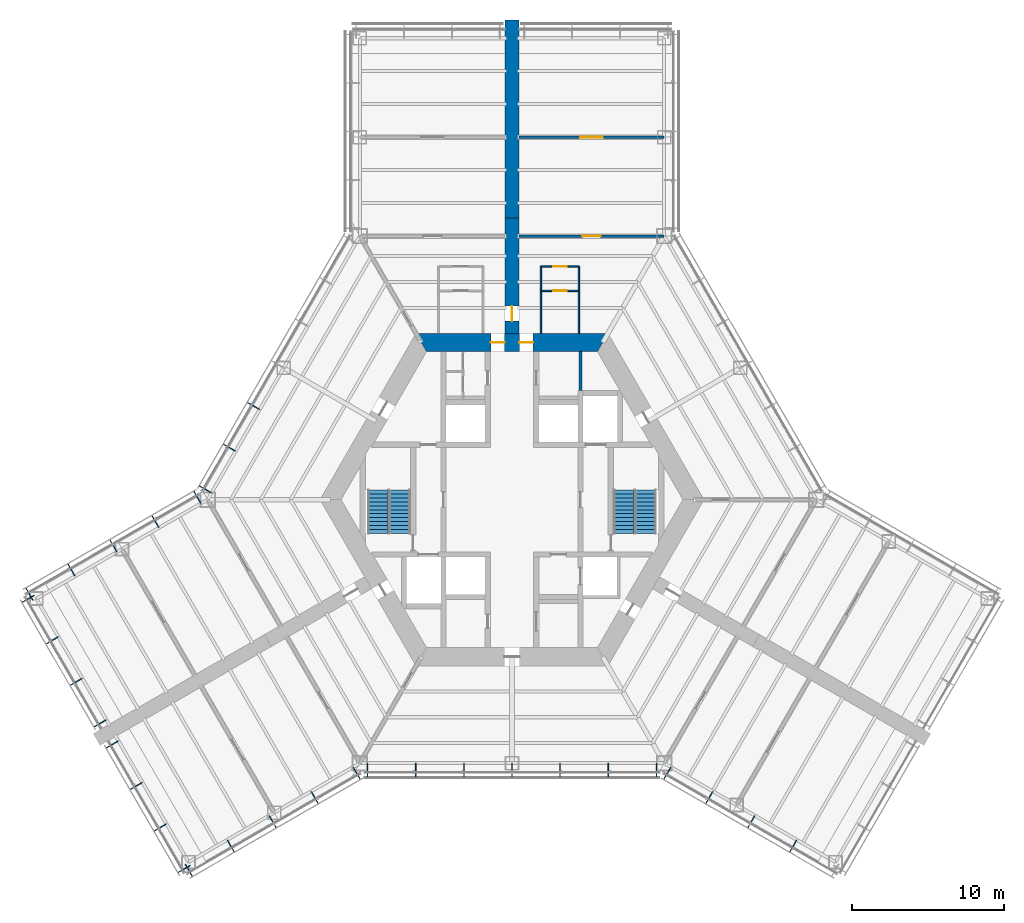
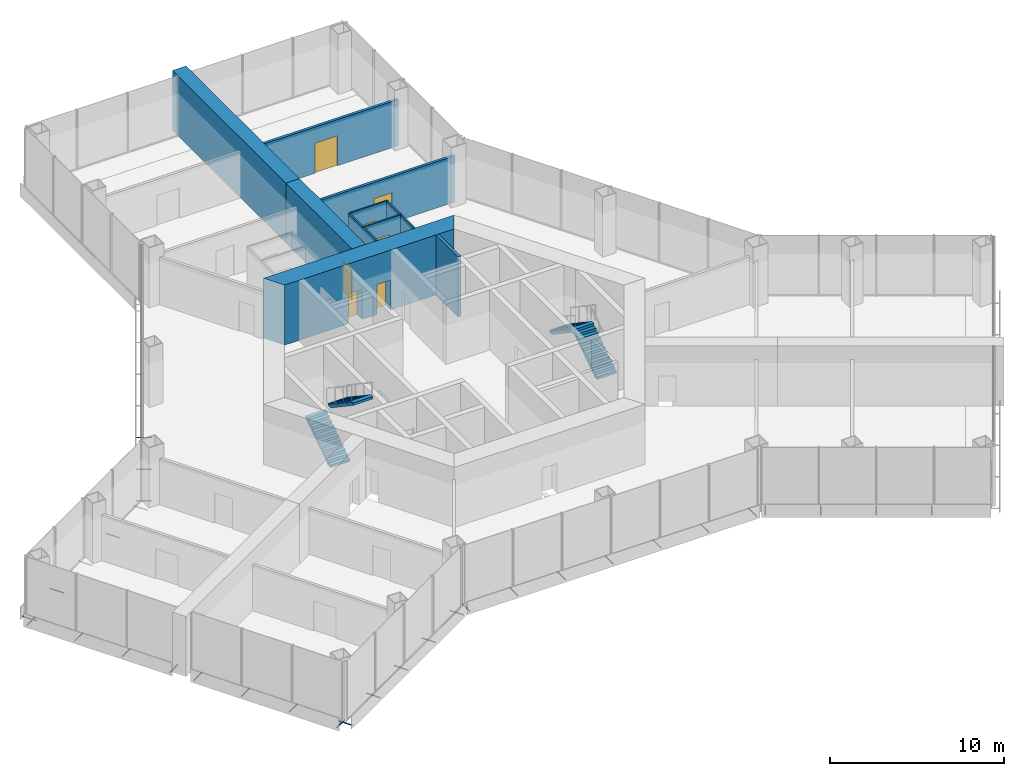
# One storey, part 13 of 15: 32 discrete accessories, 10 walls, 7 doors, 4 stair flights, 7 openings, 2 elements without a shape of their own.
"""IFC4 building model written with IfcOpenShell, lengths in metres."""

from ifc_helpers import new_model, si_unit, direction, frame, frame_2d, origin, origin_2d, place, context, subcontext, project, spatial, polyline, rectangle, hollow_circle, outline, extrude, material, layer, layer_set, material_profile, profile_set, type_object, element, fill, aggregate, save


model = new_model("IFC4")

# Units and contexts
model_context = context("Model", 3, precision=1e-05, world=origin(), true_north=direction((0.0, 1.0)))
body_context = subcontext(model_context, "Body", "Model", "MODEL_VIEW")
ifc_project = project(units=[si_unit("LENGTHUNIT", "METRE"), si_unit("AREAUNIT", "SQUARE_METRE"), si_unit("VOLUMEUNIT", "CUBIC_METRE"), si_unit("PLANEANGLEUNIT", "RADIAN"), si_unit("MASSUNIT", "GRAM", prefix="KILO")], contexts=[model_context])

# Site, building, storey
site_placement = place(None, origin())
site = spatial("IfcSite", under=ifc_project, at=site_placement, CompositionType="ELEMENT")
building_placement = place(site_placement, origin())
building = spatial("IfcBuilding", under=site, at=building_placement, Name="Kasaneha Research Tower", CompositionType="ELEMENT")
storey_placement = place(building_placement, frame((0.0, 0.0, 39.39990234375)))
storey = spatial("IfcBuildingStorey", under=building, at=storey_placement, Name="L10", CompositionType="ELEMENT", Elevation=39.39990234375)

# Wall, openings, doors
ifc_material_1 = material(Name="Concrete Fc100", Category="concrete")
ifc_layer_1 = layer(ifc_material_1, 1.199951171875)
ifc_layer_set_1 = layer_set([ifc_layer_1], Name="Core wall 1200 Fc100")
wall_type_1 = type_object("IfcWallType", Name="Core wall 1200 Fc100", PredefinedType="SHEAR", material=ifc_layer_set_1)
wall_1_placement = place(storey_placement, frame((5.961181640625, 10.324951171875, 0.0), z_axis=(0.0, 0.0, 1.0), x_axis=(-1.0, 0.0, 0.0)))
wall_1 = element("IfcWall", 1, at=wall_1_placement, inside=storey, type_object=wall_type_1, Name="Core wall 090 L10", PredefinedType="SHEAR", context=body_context, shape_type="SweptSolid", body=[
    extrude(outline(polyline([(-0.346435546875, -0.60009765625), (4.57373046875, -0.60009765625), (5.4736328125, -0.60009765625), (6.44873046875, -0.60009765625), (7.3486328125, -0.60009765625), (12.268798828125, -0.60009765625), (11.575927734375, 0.60009765625), (7.3486328125, 0.60009765625), (6.44873046875, 0.60009765625), (5.4736328125, 0.60009765625), (4.57373046875, 0.60009765625), (0.346435546875, 0.60009765625), (-0.346435546875, -0.60009765625)])), origin(), (0.0, 0.0, 1.0), 4.2001953125),
])
opening_1_placement = place(wall_1_placement, frame((6.44873046875, 0.0, 0.0)))
opening_1 = element("IfcOpeningElement", 2, at=opening_1_placement, cuts=wall_1, Name="Opening L10-D01", PredefinedType="OPENING", context=body_context, shape_type="SweptSolid", body=[
    extrude(rectangle(XDim=0.89990234375, YDim=2.10009765625, at=frame_2d((0.449951171875, 1.050048828125))), frame((0.0, 0.60986328125, 0.0), z_axis=(0.0, -1.0, 0.0), x_axis=(1.0, 0.0, 0.0)), (0.0, 0.0, 1.0), 1.219970703125),
])
opening_2_placement = place(wall_1_placement, frame((4.57373046875, 0.0, 0.0)))
opening_2 = element("IfcOpeningElement", 3, at=opening_2_placement, cuts=wall_1, Name="Opening L10-D02", PredefinedType="OPENING", context=body_context, shape_type="SweptSolid", body=[
    extrude(rectangle(XDim=0.89990234375, YDim=2.10009765625, at=frame_2d((0.449951171875, 1.050048828125))), frame((0.0, 0.60986328125, 0.0), z_axis=(0.0, -1.0, 0.0), x_axis=(1.0, 0.0, 0.0)), (0.0, 0.0, 1.0), 1.219970703125),
])
ifc_material_2 = material(Name="Steel", Category="steel")
door_type_1 = type_object("IfcDoorType", Name="Toilet door FD20 900x2100", OperationType="NOTDEFINED", PredefinedType="DOOR", material=ifc_material_2)
door_1_placement = place(opening_1_placement, origin())
door_1 = element("IfcDoor", 4, at=door_1_placement, inside=storey, type_object=door_type_1, Name="Core door north 1 L10-D01", OperationType="SINGLE_SWING_RIGHT", OverallHeight=2.10009765625, OverallWidth=0.89990234375, PredefinedType="DOOR", context=body_context, shape_type="SweptSolid", body=[
    extrude(rectangle(XDim=0.89990234375, YDim=2.10009765625, at=frame_2d((0.449951171875, 1.050048828125))), frame((0.0, 0.02490234375, 0.0), z_axis=(0.0, -1.0, 0.0), x_axis=(1.0, 0.0, 0.0)), (0.0, 0.0, 1.0), 0.050048828125),
])
fill(opening_1, door_1)
door_2_placement = place(opening_2_placement, origin())
door_2 = element("IfcDoor", 5, at=door_2_placement, inside=storey, type_object=door_type_1, Name="Core door north 2 L10-D02", OperationType="SINGLE_SWING_LEFT", OverallHeight=2.10009765625, OverallWidth=0.89990234375, PredefinedType="DOOR", context=body_context, shape_type="SweptSolid", body=[
    extrude(rectangle(XDim=0.89990234375, YDim=2.10009765625, at=frame_2d((0.449951171875, 1.050048828125))), frame((0.0, 0.02490234375, 0.0), z_axis=(0.0, -1.0, 0.0), x_axis=(1.0, 0.0, 0.0)), (0.0, 0.0, 1.0), 0.050048828125),
])
fill(opening_2, door_2)

# Wall, opening, door
ifc_material_3 = material(Name="Gypsum board on steel studs, two layers each side", Category="steel")
ifc_layer_2 = layer(ifc_material_3, 0.175048828125)
ifc_layer_set_2 = layer_set([ifc_layer_2], Name="Laboratory fire partition 175")
wall_type_2 = type_object("IfcWallType", Name="Laboratory fire partition 175", PredefinedType="PARTITIONING", material=ifc_layer_set_2)
wall_2_placement = place(storey_placement, frame((0.449951171875, 17.320556640625, 0.0), z_axis=(0.0, 0.0, 1.0), x_axis=(1.0, 0.0, 0.0)))
wall_2 = element("IfcWall", 6, at=wall_2_placement, inside=storey, type_object=wall_type_2, Name="Laboratory fire partition LABA-E L10", PredefinedType="PARTITIONING", context=body_context, shape_type="SweptSolid", body=[
    extrude(rectangle(XDim=9.550048828125, YDim=0.175048828125, at=frame_2d((4.77490234375, 0.0))), origin(), (0.0, 0.0, 1.0), 3.238037109375),
])
opening_3_placement = place(wall_2_placement, frame((4.175048828125, 0.0, 0.0)))
opening_3 = element("IfcOpeningElement", 7, at=opening_3_placement, cuts=wall_2, Name="Opening L10-D27", PredefinedType="OPENING", context=body_context, shape_type="SweptSolid", body=[
    extrude(rectangle(XDim=1.199951171875, YDim=2.10009765625, at=frame_2d((0.60009765625, 1.050048828125))), frame((0.0, 0.09765625, 0.0), z_axis=(0.0, -1.0, 0.0), x_axis=(1.0, 0.0, 0.0)), (0.0, 0.0, 1.0), 0.195068359375),
])
ifc_material_4 = material(Name="Steel", Category="steel")
door_type_2 = type_object("IfcDoorType", Name="Laboratory door FD60 1200x2100", OperationType="DOUBLE_DOOR_SINGLE_SWING", PredefinedType="DOOR", material=ifc_material_4)
door_3_placement = place(opening_3_placement, origin())
door_3 = element("IfcDoor", 8, at=door_3_placement, inside=storey, type_object=door_type_2, Name="Laboratory door L10-D27", OperationType="DOUBLE_DOOR_SINGLE_SWING", OverallHeight=2.10009765625, OverallWidth=1.199951171875, PredefinedType="DOOR", context=body_context, shape_type="SweptSolid", body=[
    extrude(rectangle(XDim=1.199951171875, YDim=2.10009765625, at=frame_2d((0.60009765625, 1.050048828125))), frame((0.0, 0.02490234375, 0.0), z_axis=(0.0, -1.0, 0.0), x_axis=(1.0, 0.0, 0.0)), (0.0, 0.0, 1.0), 0.050048828125),
])
fill(opening_3, door_3)

wall_3_placement = place(storey_placement, frame((0.449951171875, 23.820556640625, 0.0), z_axis=(0.0, 0.0, 1.0), x_axis=(1.0, 0.0, 0.0)))
wall_3 = element("IfcWall", 9, at=wall_3_placement, inside=storey, type_object=wall_type_2, Name="Laboratory fire partition INSA-E L10", PredefinedType="PARTITIONING", context=body_context, shape_type="SweptSolid", body=[
    extrude(rectangle(XDim=9.550048828125, YDim=0.175048828125, at=frame_2d((4.77490234375, 0.0))), origin(), (0.0, 0.0, 1.0), 3.22998046875),
])
opening_4_placement = place(wall_3_placement, frame((4.02490234375, 0.0, 0.0)))
opening_4 = element("IfcOpeningElement", 10, at=opening_4_placement, cuts=wall_3, Name="Opening L10-D28", PredefinedType="OPENING", context=body_context, shape_type="SweptSolid", body=[
    extrude(rectangle(XDim=1.5, YDim=2.10009765625, at=frame_2d((0.75, 1.050048828125))), frame((0.0, 0.09765625, 0.0), z_axis=(0.0, -1.0, 0.0), x_axis=(1.0, 0.0, 0.0)), (0.0, 0.0, 1.0), 0.195068359375),
])
ifc_material_5 = material(Name="Steel", Category="steel")
door_type_3 = type_object("IfcDoorType", Name="Laboratory door FD60 1500x2100", OperationType="DOUBLE_DOOR_SINGLE_SWING", PredefinedType="DOOR", material=ifc_material_5)
door_4_placement = place(opening_4_placement, origin())
door_4 = element("IfcDoor", 11, at=door_4_placement, inside=storey, type_object=door_type_3, Name="Instrument room door L10-D28", OperationType="DOUBLE_DOOR_SINGLE_SWING", OverallHeight=2.10009765625, OverallWidth=1.5, PredefinedType="DOOR", context=body_context, shape_type="SweptSolid", body=[
    extrude(rectangle(XDim=1.5, YDim=2.10009765625, at=frame_2d((0.75, 1.050048828125))), frame((0.0, 0.02490234375, 0.0), z_axis=(0.0, -1.0, 0.0), x_axis=(1.0, 0.0, 0.0)), (0.0, 0.0, 1.0), 0.050048828125),
])
fill(opening_4, door_4)

ifc_material_6 = material(Name="Gypsum board on steel studs, one layer each side", Category="steel")
ifc_layer_3 = layer(ifc_material_6, 0.10009765625)
ifc_layer_set_3 = layer_set([ifc_layer_3], Name="Office partition 100")
wall_type_3 = type_object("IfcWallType", Name="Office partition 100", PredefinedType="PARTITIONING", material=ifc_layer_set_3)
wall_4_placement = place(storey_placement, frame((1.89990234375, 13.72509765625, 0.0), z_axis=(0.0, 0.0, 1.0), x_axis=(1.0, 0.0, 0.0)))
wall_4 = element("IfcWall", 12, at=wall_4_placement, inside=storey, type_object=wall_type_3, Name="Office partition WCAE1 L10", PredefinedType="PARTITIONING", context=body_context, shape_type="SweptSolid", body=[
    extrude(rectangle(XDim=2.5, YDim=0.10009765625, at=frame_2d((1.25, 0.0))), origin(), (0.0, 0.0, 1.0), 3.22998046875),
])
opening_5_placement = place(wall_4_placement, frame((0.800048828125, 0.0, 0.0)))
opening_5 = element("IfcOpeningElement", 13, at=opening_5_placement, cuts=wall_4, Name="Opening L10-D25", PredefinedType="OPENING", context=body_context, shape_type="SweptSolid", body=[
    extrude(rectangle(XDim=0.89990234375, YDim=2.10009765625, at=frame_2d((0.449951171875, 1.050048828125))), frame((0.0, 0.06005859375, 0.0), z_axis=(0.0, -1.0, 0.0), x_axis=(1.0, 0.0, 0.0)), (0.0, 0.0, 1.0), 0.1201171875),
])
ifc_material_7 = material(Name="Steel", Category="steel")
door_type_4 = type_object("IfcDoorType", Name="Toilet lobby door FD30 900x2100", OperationType="NOTDEFINED", PredefinedType="DOOR", material=ifc_material_7)
door_5_placement = place(opening_5_placement, origin())
door_5 = element("IfcDoor", 14, at=door_5_placement, inside=storey, type_object=door_type_4, Name="Women's WC door L10-D25", OperationType="SINGLE_SWING_LEFT", OverallHeight=2.10009765625, OverallWidth=0.89990234375, PredefinedType="DOOR", context=body_context, shape_type="SweptSolid", body=[
    extrude(rectangle(XDim=0.89990234375, YDim=2.10009765625, at=frame_2d((0.449951171875, 1.050048828125))), frame((0.0, 0.02490234375, 0.0), z_axis=(0.0, -1.0, 0.0), x_axis=(1.0, 0.0, 0.0)), (0.0, 0.0, 1.0), 0.050048828125),
])
fill(opening_5, door_5)

wall_5_placement = place(storey_placement, frame((1.89990234375, 15.324951171875, 0.0), z_axis=(0.0, 0.0, 1.0), x_axis=(1.0, 0.0, 0.0)))
wall_5 = element("IfcWall", 15, at=wall_5_placement, inside=storey, type_object=wall_type_3, Name="Office partition WCAE4 L10", PredefinedType="PARTITIONING", context=body_context, shape_type="SweptSolid", body=[
    extrude(rectangle(XDim=2.5, YDim=0.10009765625, at=frame_2d((1.25, 0.0))), origin(), (0.0, 0.0, 1.0), 3.22998046875),
])
opening_6_placement = place(wall_5_placement, frame((0.800048828125, 0.0, 0.0)))
opening_6 = element("IfcOpeningElement", 16, at=opening_6_placement, cuts=wall_5, Name="Opening L10-D26", PredefinedType="OPENING", context=body_context, shape_type="SweptSolid", body=[
    extrude(rectangle(XDim=0.89990234375, YDim=2.10009765625, at=frame_2d((0.449951171875, 1.050048828125))), frame((0.0, 0.06005859375, 0.0), z_axis=(0.0, -1.0, 0.0), x_axis=(1.0, 0.0, 0.0)), (0.0, 0.0, 1.0), 0.1201171875),
])
door_6_placement = place(opening_6_placement, origin())
door_6 = element("IfcDoor", 17, at=door_6_placement, inside=storey, type_object=door_type_4, Name="Toilet lobby door L10-D26", OperationType="SINGLE_SWING_LEFT", OverallHeight=2.10009765625, OverallWidth=0.89990234375, PredefinedType="DOOR", context=body_context, shape_type="SweptSolid", body=[
    extrude(rectangle(XDim=0.89990234375, YDim=2.10009765625, at=frame_2d((0.449951171875, 1.050048828125))), frame((0.0, 0.02490234375, 0.0), z_axis=(0.0, -1.0, 0.0), x_axis=(1.0, 0.0, 0.0)), (0.0, 0.0, 1.0), 0.050048828125),
])
fill(opening_6, door_6)

# Walls
for number, where, z_axis, x_axis, name in (
    (18, (1.89990234375, 10.925048828125, 0.0), (0.0, 0.0, 1.0), (0.0, 1.0, 0.0), "Office partition WCAE2 L10"),
    (19, (4.39990234375, 10.925048828125, 0.0), (0.0, 0.0, 1.0), (0.0, 1.0, 0.0), "Office partition WCAE3 L10"),
):
    element("IfcWall", number, at=place(storey_placement, frame(where, z_axis=z_axis, x_axis=x_axis)), inside=storey, type_object=wall_type_3, Name=name, PredefinedType="PARTITIONING", context=body_context, shape_type="SweptSolid", body=[
        extrude(rectangle(XDim=4.39990234375, YDim=0.10009765625, at=frame_2d((2.199951171875, 0.0))), origin(), (0.0, 0.0, 1.0), 3.22998046875),
    ])
ifc_material_8 = material(Name="Concrete block", Category="concrete")
ifc_layer_4 = layer(ifc_material_8, 0.199951171875)
ifc_layer_set_4 = layer_set([ifc_layer_4], Name="Riser enclosure wall 200")
wall_type_4 = type_object("IfcWallType", Name="Riser enclosure wall 200", PredefinedType="STANDARD", material=ifc_layer_set_4)
wall_6_placement = place(storey_placement, frame((4.5, 7.175048828125, 0.0), z_axis=(0.0, 0.0, 1.0), x_axis=(0.0, 1.0, 0.0)))
element("IfcWall", 20, at=wall_6_placement, inside=storey, type_object=wall_type_4, Name="Riser enclosure wall L10", PredefinedType="STANDARD", context=body_context, shape_type="SweptSolid", body=[
    extrude(rectangle(XDim=2.550048828125, YDim=0.199951171875, at=frame_2d((1.27490234375, 0.0))), origin(), (0.0, 0.0, 1.0), 4.2001953125),
])

# Wall, opening, door
ifc_material_9 = material(Name="Concrete Fc100", Category="concrete")
ifc_layer_5 = layer(ifc_material_9, 0.89990234375)
ifc_layer_set_5 = layer_set([ifc_layer_5], Name="Spine wall 900 Fc100")
wall_type_5 = type_object("IfcWallType", Name="Spine wall 900 Fc100", PredefinedType="SHEAR", material=ifc_layer_set_5)
wall_7_placement = place(storey_placement, frame((0.0, 10.925048828125, 0.0), z_axis=(0.0, 0.0, 1.0), x_axis=(0.0, 1.0, 0.0)))
wall_7 = element("IfcWall", 21, at=wall_7_placement, inside=storey, type_object=wall_type_5, Name="Spine wall A L10", PredefinedType="SHEAR", context=body_context, shape_type="SweptSolid", body=[
    extrude(rectangle(XDim=7.595458984375, YDim=0.89990234375, at=frame_2d((3.7978515625, 0.0))), origin(), (0.0, 0.0, 1.0), 4.2001953125),
])
opening_7_placement = place(wall_7_placement, frame((0.800048828125, 0.0, 0.0)))
opening_7 = element("IfcOpeningElement", 22, at=opening_7_placement, cuts=wall_7, Name="Opening L10-D17", PredefinedType="OPENING", context=body_context, shape_type="SweptSolid", body=[
    extrude(rectangle(XDim=1.0, YDim=2.10009765625, at=frame_2d((0.5, 1.050048828125))), frame((0.0, 0.4599609375, 0.0), z_axis=(0.0, -1.0, 0.0), x_axis=(1.0, 0.0, 0.0)), (0.0, 0.0, 1.0), 0.919921875),
])
ifc_material_10 = material(Name="Steel", Category="steel")
door_type_5 = type_object("IfcDoorType", Name="Specified fire door FD60 1000x2100", OperationType="NOTDEFINED", PredefinedType="DOOR", material=ifc_material_10)
door_7_placement = place(opening_7_placement, origin())
door_7 = element("IfcDoor", 23, at=door_7_placement, inside=storey, type_object=door_type_5, Name="Spine doorway A L10-D17", OperationType="SINGLE_SWING_LEFT", OverallHeight=2.10009765625, OverallWidth=1.0, PredefinedType="DOOR", context=body_context, shape_type="SweptSolid", body=[
    extrude(rectangle(XDim=1.0, YDim=2.10009765625, at=frame_2d((0.5, 1.050048828125))), frame((0.0, 0.02490234375, 0.0), z_axis=(0.0, -1.0, 0.0), x_axis=(1.0, 0.0, 0.0)), (0.0, 0.0, 1.0), 0.050048828125),
])
fill(opening_7, door_7)

# Wall
wall_8_placement = place(storey_placement, frame((0.0, 18.5205078125, 0.0), z_axis=(0.0, 0.0, 1.0), x_axis=(0.0, 1.0, 0.0)))
element("IfcWall", 24, at=wall_8_placement, inside=storey, type_object=wall_type_5, Name="Spine wall A wing L10", PredefinedType="SHEAR", context=body_context, shape_type="SweptSolid", body=[
    extrude(rectangle(XDim=13.0, YDim=0.89990234375, at=frame_2d((6.5, 0.0))), origin(), (0.0, 0.0, 1.0), 4.2001953125),
])

# Stair, stair flights
ifc_material_11 = material(Name="Concrete Fc24", Category="concrete")
stair_type = type_object("IfcStairType", Name="Half-turn stair 24 risers", PredefinedType="HALF_TURN_STAIR", material=ifc_material_11)
stair_1_placement = place(storey_placement, origin())
stair_1 = element("IfcStair", 25, at=stair_1_placement, inside=storey, type_object=stair_type, Name="Stair 1 L10", PredefinedType="HALF_TURN_STAIR")
ifc_material_12 = material(Name="Concrete Fc24", Category="concrete")
stair_flight_type = type_object("IfcStairFlightType", Name="Stair flight 12 risers 175.0", PredefinedType="STRAIGHT", material=ifc_material_12)
stair_flight_1_placement = place(storey_placement, frame((8.824951171875, -2.22509765625, 0.0), z_axis=(0.0, 0.0, 1.0), x_axis=(0.0, 1.0, 0.0)))
stair_flight_1 = element("IfcStairFlight", 26, at=stair_flight_1_placement, type_object=stair_flight_type, Name="ST1-24R flight 1", NumberOfRisers=12, NumberOfTreads=11, PredefinedType="STRAIGHT", RiserHeight=0.175, TreadLength=0.26, context=body_context, shape_type="SweptSolid", body=[
    extrude(outline(polyline([(0.0, 0.0), (0.0, 0.175048828125), (0.260009765625, 0.175048828125), (0.260009765625, 0.35009765625), (0.52001953125, 0.35009765625), (0.52001953125, 0.52490234375), (0.780029296875, 0.52490234375), (0.780029296875, 0.699951171875), (1.0400390625, 0.699951171875), (1.0400390625, 0.875), (1.300048828125, 0.875), (1.300048828125, 1.050048828125), (1.56005859375, 1.050048828125), (1.56005859375, 1.22509765625), (1.820068359375, 1.22509765625), (1.820068359375, 1.39990234375), (2.080078125, 1.39990234375), (2.080078125, 1.574951171875), (2.340087890625, 1.574951171875), (2.340087890625, 1.75), (2.60009765625, 1.75), (2.60009765625, 1.925048828125), (2.860107421875, 1.925048828125), (2.860107421875, 2.10009765625), (2.860107421875, 1.744384765625), (0.2685546875, 0.0), (0.0, 0.0)])), frame((0.0, 0.64990234375, 0.0), z_axis=(0.0, -1.0, 0.0), x_axis=(1.0, 0.0, 0.0)), (0.0, 0.0, 1.0), 1.300048828125),
])
stair_flight_2_placement = place(storey_placement, frame((7.324951171875, 0.635009765625, 2.10009765625), z_axis=(0.0, 0.0, 1.0), x_axis=(0.0, -1.0, 0.0)))
stair_flight_2 = element("IfcStairFlight", 27, at=stair_flight_2_placement, type_object=stair_flight_type, Name="ST1-24R flight 2", NumberOfRisers=12, NumberOfTreads=11, PredefinedType="STRAIGHT", RiserHeight=0.175, TreadLength=0.26, context=body_context, shape_type="SweptSolid", body=[
    extrude(outline(polyline([(0.0, 0.0), (0.0, 0.175048828125), (0.260009765625, 0.175048828125), (0.260009765625, 0.35009765625), (0.52001953125, 0.35009765625), (0.52001953125, 0.52490234375), (0.780029296875, 0.52490234375), (0.780029296875, 0.699951171875), (1.0400390625, 0.699951171875), (1.0400390625, 0.875), (1.300048828125, 0.875), (1.300048828125, 1.050048828125), (1.56005859375, 1.050048828125), (1.56005859375, 1.22509765625), (1.820068359375, 1.22509765625), (1.820068359375, 1.39990234375), (2.080078125, 1.39990234375), (2.080078125, 1.574951171875), (2.340087890625, 1.574951171875), (2.340087890625, 1.75), (2.60009765625, 1.75), (2.60009765625, 1.925048828125), (2.860107421875, 1.925048828125), (2.860107421875, 2.10009765625), (2.860107421875, 1.744384765625), (0.2685546875, 0.0), (0.0, 0.0)])), frame((0.0, 0.64990234375, 0.0), z_axis=(0.0, -1.0, 0.0), x_axis=(1.0, 0.0, 0.0)), (0.0, 0.0, 1.0), 1.300048828125),
])
aggregate(stair_1, [stair_flight_1, stair_flight_2])

stair_2_placement = place(storey_placement, origin())
stair_2 = element("IfcStair", 28, at=stair_2_placement, inside=storey, type_object=stair_type, Name="Stair 2 L10", PredefinedType="HALF_TURN_STAIR")
stair_flight_3_placement = place(storey_placement, frame((-8.824951171875, -2.22509765625, 0.0), z_axis=(0.0, 0.0, 1.0), x_axis=(0.0, 1.0, 0.0)))
stair_flight_3 = element("IfcStairFlight", 29, at=stair_flight_3_placement, type_object=stair_flight_type, Name="ST2-24R flight 1", NumberOfRisers=12, NumberOfTreads=11, PredefinedType="STRAIGHT", RiserHeight=0.175, TreadLength=0.26, context=body_context, shape_type="SweptSolid", body=[
    extrude(outline(polyline([(0.0, 0.0), (0.0, 0.175048828125), (0.260009765625, 0.175048828125), (0.260009765625, 0.35009765625), (0.52001953125, 0.35009765625), (0.52001953125, 0.52490234375), (0.780029296875, 0.52490234375), (0.780029296875, 0.699951171875), (1.0400390625, 0.699951171875), (1.0400390625, 0.875), (1.300048828125, 0.875), (1.300048828125, 1.050048828125), (1.56005859375, 1.050048828125), (1.56005859375, 1.22509765625), (1.820068359375, 1.22509765625), (1.820068359375, 1.39990234375), (2.080078125, 1.39990234375), (2.080078125, 1.574951171875), (2.340087890625, 1.574951171875), (2.340087890625, 1.75), (2.60009765625, 1.75), (2.60009765625, 1.925048828125), (2.860107421875, 1.925048828125), (2.860107421875, 2.10009765625), (2.860107421875, 1.744384765625), (0.2685546875, 0.0), (0.0, 0.0)])), frame((0.0, 0.64990234375, 0.0), z_axis=(0.0, -1.0, 0.0), x_axis=(1.0, 0.0, 0.0)), (0.0, 0.0, 1.0), 1.300048828125),
])
stair_flight_4_placement = place(storey_placement, frame((-7.324951171875, 0.635009765625, 2.10009765625), z_axis=(0.0, 0.0, 1.0), x_axis=(0.0, -1.0, 0.0)))
stair_flight_4 = element("IfcStairFlight", 30, at=stair_flight_4_placement, type_object=stair_flight_type, Name="ST2-24R flight 2", NumberOfRisers=12, NumberOfTreads=11, PredefinedType="STRAIGHT", RiserHeight=0.175, TreadLength=0.26, context=body_context, shape_type="SweptSolid", body=[
    extrude(outline(polyline([(0.0, 0.0), (0.0, 0.175048828125), (0.260009765625, 0.175048828125), (0.260009765625, 0.35009765625), (0.52001953125, 0.35009765625), (0.52001953125, 0.52490234375), (0.780029296875, 0.52490234375), (0.780029296875, 0.699951171875), (1.0400390625, 0.699951171875), (1.0400390625, 0.875), (1.300048828125, 0.875), (1.300048828125, 1.050048828125), (1.56005859375, 1.050048828125), (1.56005859375, 1.22509765625), (1.820068359375, 1.22509765625), (1.820068359375, 1.39990234375), (2.080078125, 1.39990234375), (2.080078125, 1.574951171875), (2.340087890625, 1.574951171875), (2.340087890625, 1.75), (2.60009765625, 1.75), (2.60009765625, 1.925048828125), (2.860107421875, 1.925048828125), (2.860107421875, 2.10009765625), (2.860107421875, 1.744384765625), (0.2685546875, 0.0), (0.0, 0.0)])), frame((0.0, 0.64990234375, 0.0), z_axis=(0.0, -1.0, 0.0), x_axis=(1.0, 0.0, 0.0)), (0.0, 0.0, 1.0), 1.300048828125),
])
aggregate(stair_2, [stair_flight_3, stair_flight_4])

# Discrete accessories
ifc_material_13 = material(Name="Steel STK400", Category="steel")
ifc_material_profile = material_profile(ifc_material_13, hollow_circle(Radius=0.0380859375, WallThickness=0.00390625, at=origin_2d()), Name="CHS-76.3x4.0")
ifc_profile_set = profile_set([ifc_material_profile], Name="Steel STK400")
discrete_accessory_type = type_object("IfcDiscreteAccessoryType", Name="Screen bracket CHS-76.3x4.0", PredefinedType="BRACKET", material=ifc_profile_set)
discrete_accessory_1_placement = place(storey_placement, frame((-21.474853515625, -23.945556640625, -0.31982421875), z_axis=(0.500021113727, -0.866013213425, 0.0), x_axis=(0.866013213425, 0.500021113727, 0.0)))
element("IfcDiscreteAccessory", 31, at=discrete_accessory_1_placement, inside=storey, type_object=discrete_accessory_type, Name="Screen bracket 1", PredefinedType="BRACKET", context=body_context, shape_type="SweptSolid", body=[
    extrude(hollow_circle(Radius=0.0380859375, WallThickness=0.00390625, at=origin_2d()), origin(), (0.0, 0.0, 1.0), 0.919921875),
])
discrete_accessory_2_placement = place(storey_placement, frame((-18.716796875, -22.35302734375, -0.31982421875), z_axis=(0.500105201737, -0.865964657013, 0.0), x_axis=(0.865964657013, 0.500105201737, 0.0)))
element("IfcDiscreteAccessory", 32, at=discrete_accessory_2_placement, inside=storey, type_object=discrete_accessory_type, Name="Screen bracket 2", PredefinedType="BRACKET", context=body_context, shape_type="SweptSolid", body=[
    extrude(hollow_circle(Radius=0.0380859375, WallThickness=0.00390625, at=origin_2d()), origin(), (0.0, 0.0, 1.0), 0.920166015625),
])
discrete_accessory_3_placement = place(storey_placement, frame((-15.95849609375, -20.7607421875, -0.31982421875), z_axis=(0.500021113727, -0.866013213425, 0.0), x_axis=(0.866013213425, 0.500021113727, 0.0)))
element("IfcDiscreteAccessory", 33, at=discrete_accessory_3_placement, inside=storey, type_object=discrete_accessory_type, Name="Screen bracket 3", PredefinedType="BRACKET", context=body_context, shape_type="SweptSolid", body=[
    extrude(hollow_circle(Radius=0.0380859375, WallThickness=0.00390625, at=origin_2d()), origin(), (0.0, 0.0, 1.0), 0.919921875),
])
discrete_accessory_4_placement = place(storey_placement, frame((-13.200439453125, -19.168212890625, -0.31982421875), z_axis=(0.499906209203, -0.866079547155, 0.0), x_axis=(0.866079547155, 0.499906209203, 0.0)))
element("IfcDiscreteAccessory", 34, at=discrete_accessory_4_placement, inside=storey, type_object=discrete_accessory_type, Name="Screen bracket 4", PredefinedType="BRACKET", context=body_context, shape_type="SweptSolid", body=[
    extrude(hollow_circle(Radius=0.0380859375, WallThickness=0.00390625, at=origin_2d()), origin(), (0.0, 0.0, 1.0), 0.920166015625),
])
for number, where, z_axis, x_axis, name in (
    (35, (-10.4423828125, -17.575927734375, -0.31982421875), (0.500021113727, -0.866013213425, 0.0), (0.866013213425, 0.500021113727, 0.0), "Screen bracket 5"),
    (36, (-9.4892578125, -17.320556640625, -0.31982421875), (0.0, -1.0, 0.0), (1.0, 0.0, 0.0), "Screen bracket 1"),
    (37, (-6.326171875, -17.320556640625, -0.31982421875), (0.0, -1.0, 0.0), (1.0, 0.0, 0.0), "Screen bracket 2"),
    (38, (-3.1630859375, -17.320556640625, -0.31982421875), (0.0, -1.0, 0.0), (1.0, 0.0, 0.0), "Screen bracket 3"),
    (39, (0.0, -17.320556640625, -0.31982421875), (0.0, -1.0, 0.0), (1.0, 0.0, 0.0), "Screen bracket 4"),
    (40, (3.1630859375, -17.320556640625, -0.31982421875), (0.0, -1.0, 0.0), (1.0, 0.0, 0.0), "Screen bracket 5"),
    (41, (6.326171875, -17.320556640625, -0.31982421875), (0.0, -1.0, 0.0), (1.0, 0.0, 0.0), "Screen bracket 6"),
    (42, (9.4892578125, -17.320556640625, -0.31982421875), (0.0, -1.0, 0.0), (1.0, 0.0, 0.0), "Screen bracket 7"),
    (43, (10.4423828125, -17.575927734375, -0.31982421875), (-0.500021113727, -0.866013213425, 0.0), (0.866013213425, -0.500021113727, 0.0), "Screen bracket 1"),
):
    element("IfcDiscreteAccessory", number, at=place(storey_placement, frame(where, z_axis=z_axis, x_axis=x_axis)), inside=storey, type_object=discrete_accessory_type, Name=name, PredefinedType="BRACKET", context=body_context, shape_type="SweptSolid", body=[
        extrude(hollow_circle(Radius=0.0380859375, WallThickness=0.00390625, at=origin_2d()), origin(), (0.0, 0.0, 1.0), 0.919921875),
    ])
discrete_accessory_5_placement = place(storey_placement, frame((13.200439453125, -19.168212890625, -0.31982421875), z_axis=(-0.499906209203, -0.866079547155, 0.0), x_axis=(0.866079547155, -0.499906209203, 0.0)))
element("IfcDiscreteAccessory", 44, at=discrete_accessory_5_placement, inside=storey, type_object=discrete_accessory_type, Name="Screen bracket 2", PredefinedType="BRACKET", context=body_context, shape_type="SweptSolid", body=[
    extrude(hollow_circle(Radius=0.0380859375, WallThickness=0.00390625, at=origin_2d()), origin(), (0.0, 0.0, 1.0), 0.920166015625),
])
discrete_accessory_6_placement = place(storey_placement, frame((15.95849609375, -20.7607421875, -0.31982421875), z_axis=(-0.500021113727, -0.866013213425, 0.0), x_axis=(0.866013213425, -0.500021113727, 0.0)))
element("IfcDiscreteAccessory", 45, at=discrete_accessory_6_placement, inside=storey, type_object=discrete_accessory_type, Name="Screen bracket 3", PredefinedType="BRACKET", context=body_context, shape_type="SweptSolid", body=[
    extrude(hollow_circle(Radius=0.0380859375, WallThickness=0.00390625, at=origin_2d()), origin(), (0.0, 0.0, 1.0), 0.919921875),
])
discrete_accessory_7_placement = place(storey_placement, frame((18.716796875, -22.35302734375, -0.31982421875), z_axis=(-0.500105201737, -0.865964657013, 0.0), x_axis=(0.865964657013, -0.500105201737, 0.0)))
element("IfcDiscreteAccessory", 46, at=discrete_accessory_7_placement, inside=storey, type_object=discrete_accessory_type, Name="Screen bracket 4", PredefinedType="BRACKET", context=body_context, shape_type="SweptSolid", body=[
    extrude(hollow_circle(Radius=0.0380859375, WallThickness=0.00390625, at=origin_2d()), origin(), (0.0, 0.0, 1.0), 0.920166015625),
])
for number, where, z_axis, x_axis, name in (
    (47, (-16.58154296875, 5.9208984375, -0.31982421875), (-0.866013213425, 0.500021113727, 0.0), (-0.500021113727, -0.866013213425, 0.0), "Screen bracket 5"),
    (48, (-18.1630859375, 3.181640625, -0.31982421875), (-0.866013213425, 0.500021113727, 0.0), (-0.500021113727, -0.866013213425, 0.0), "Screen bracket 6"),
    (49, (-19.74462890625, 0.4423828125, -0.31982421875), (-0.866013213425, 0.500021113727, 0.0), (-0.500021113727, -0.866013213425, 0.0), "Screen bracket 7"),
    (50, (-20.4423828125, -0.25537109375, -0.31982421875), (-0.500021113727, 0.866013213425, 0.0), (-0.866013213425, -0.500021113727, 0.0), "Screen bracket 1"),
):
    element("IfcDiscreteAccessory", number, at=place(storey_placement, frame(where, z_axis=z_axis, x_axis=x_axis)), inside=storey, type_object=discrete_accessory_type, Name=name, PredefinedType="BRACKET", context=body_context, shape_type="SweptSolid", body=[
        extrude(hollow_circle(Radius=0.0380859375, WallThickness=0.00390625, at=origin_2d()), origin(), (0.0, 0.0, 1.0), 0.919921875),
    ])
discrete_accessory_8_placement = place(storey_placement, frame((-23.200439453125, -1.847900390625, -0.31982421875), z_axis=(-0.499906209203, 0.866079547155, 0.0), x_axis=(-0.866079547155, -0.499906209203, 0.0)))
element("IfcDiscreteAccessory", 51, at=discrete_accessory_8_placement, inside=storey, type_object=discrete_accessory_type, Name="Screen bracket 2", PredefinedType="BRACKET", context=body_context, shape_type="SweptSolid", body=[
    extrude(hollow_circle(Radius=0.0380859375, WallThickness=0.00390625, at=origin_2d()), origin(), (0.0, 0.0, 1.0), 0.920166015625),
])
discrete_accessory_9_placement = place(storey_placement, frame((-25.95849609375, -3.440185546875, -0.31982421875), z_axis=(-0.500220121494, 0.865898279276, 0.0), x_axis=(-0.865898279276, -0.500220121494, 0.0)))
element("IfcDiscreteAccessory", 52, at=discrete_accessory_9_placement, inside=storey, type_object=discrete_accessory_type, Name="Screen bracket 3", PredefinedType="BRACKET", context=body_context, shape_type="SweptSolid", body=[
    extrude(hollow_circle(Radius=0.0380859375, WallThickness=0.00390625, at=origin_2d()), origin(), (0.0, 0.0, 1.0), 0.919921875),
])
discrete_accessory_10_placement = place(storey_placement, frame((-28.716796875, -5.03271484375, -0.31982421875), z_axis=(-0.499906209203, 0.866079547155, 0.0), x_axis=(-0.866079547155, -0.499906209203, 0.0)))
element("IfcDiscreteAccessory", 53, at=discrete_accessory_10_placement, inside=storey, type_object=discrete_accessory_type, Name="Screen bracket 4", PredefinedType="BRACKET", context=body_context, shape_type="SweptSolid", body=[
    extrude(hollow_circle(Radius=0.0380859375, WallThickness=0.00390625, at=origin_2d()), origin(), (0.0, 0.0, 1.0), 0.920166015625),
])
discrete_accessory_11_placement = place(storey_placement, frame((-31.474853515625, -6.625, -0.31982421875), z_axis=(-0.500021113727, 0.866013213425, 0.0), x_axis=(-0.866013213425, -0.500021113727, 0.0)))
element("IfcDiscreteAccessory", 54, at=discrete_accessory_11_placement, inside=storey, type_object=discrete_accessory_type, Name="Screen bracket 5", PredefinedType="BRACKET", context=body_context, shape_type="SweptSolid", body=[
    extrude(hollow_circle(Radius=0.0380859375, WallThickness=0.00390625, at=origin_2d()), origin(), (0.0, 0.0, 1.0), 0.919921875),
])
discrete_accessory_12_placement = place(storey_placement, frame((-31.38330078125, -6.283447265625, -0.31982421875), z_axis=(-0.866079547155, -0.499906209203, 0.0), x_axis=(0.499906209203, -0.866079547155, 0.0)))
element("IfcDiscreteAccessory", 55, at=discrete_accessory_12_placement, inside=storey, type_object=discrete_accessory_type, Name="Screen bracket 1", PredefinedType="BRACKET", context=body_context, shape_type="SweptSolid", body=[
    extrude(hollow_circle(Radius=0.0380859375, WallThickness=0.00390625, at=origin_2d()), origin(), (0.0, 0.0, 1.0), 0.920166015625),
])
for number, where, z_axis, x_axis, name in (
    (56, (-29.808349609375, -9.011474609375, -0.31982421875), (-0.866013213425, -0.500021113727, 0.0), (0.500021113727, -0.866013213425, 0.0), "Screen bracket 2"),
    (57, (-28.2333984375, -11.739501953125, -0.31982421875), (-0.866013213425, -0.500021113727, 0.0), (0.500021113727, -0.866013213425, 0.0), "Screen bracket 3"),
    (58, (-26.658447265625, -14.467529296875, -0.31982421875), (-0.866013213425, -0.500021113727, 0.0), (0.500021113727, -0.866013213425, 0.0), "Screen bracket 4"),
    (59, (-25.8583984375, -15.85302734375, -0.31982421875), (-0.866013213425, -0.500021113727, 0.0), (0.500021113727, -0.866013213425, 0.0), "Screen bracket 1"),
    (60, (-24.283447265625, -18.5810546875, -0.31982421875), (-0.866013213425, -0.500021113727, 0.0), (0.500021113727, -0.866013213425, 0.0), "Screen bracket 2"),
):
    element("IfcDiscreteAccessory", number, at=place(storey_placement, frame(where, z_axis=z_axis, x_axis=x_axis)), inside=storey, type_object=discrete_accessory_type, Name=name, PredefinedType="BRACKET", context=body_context, shape_type="SweptSolid", body=[
        extrude(hollow_circle(Radius=0.0380859375, WallThickness=0.00390625, at=origin_2d()), origin(), (0.0, 0.0, 1.0), 0.919921875),
    ])
for number, where, z_axis, x_axis, name in (
    (61, (-22.708251953125, -21.30908203125, -0.31982421875), (-0.866079547155, -0.499906209203, 0.0), (0.499906209203, -0.866079547155, 0.0), "Screen bracket 3"),
    (62, (-21.13330078125, -24.037109375, -0.31982421875), (-0.866079547155, -0.499906209203, 0.0), (0.499906209203, -0.866079547155, 0.0), "Screen bracket 4"),
):
    element("IfcDiscreteAccessory", number, at=place(storey_placement, frame(where, z_axis=z_axis, x_axis=x_axis)), inside=storey, type_object=discrete_accessory_type, Name=name, PredefinedType="BRACKET", context=body_context, shape_type="SweptSolid", body=[
        extrude(hollow_circle(Radius=0.0380859375, WallThickness=0.00390625, at=origin_2d()), origin(), (0.0, 0.0, 1.0), 0.920166015625),
    ])

save(model, "model.ifc")
